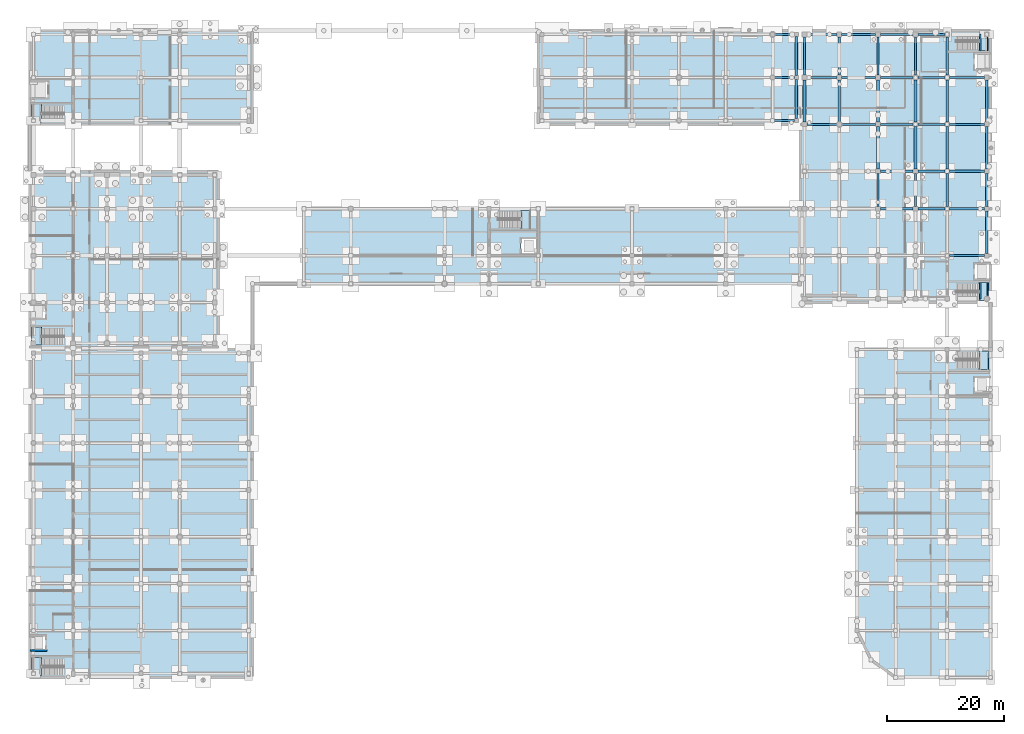
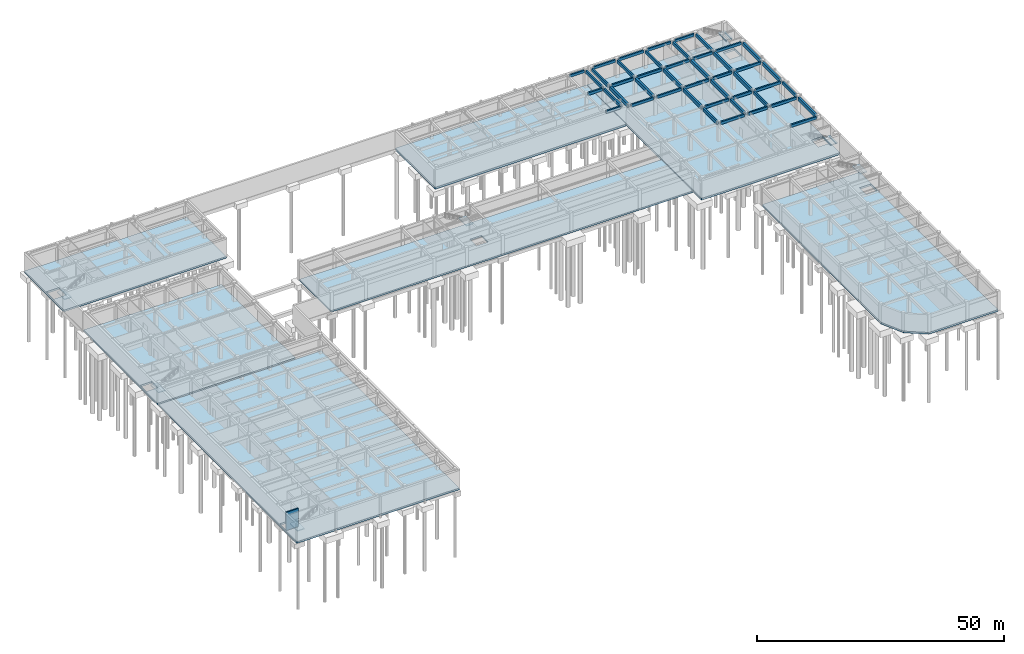
# One storey, part 19 of 35: 50 beams, 14 slabs, 1 wall, 7 elements without a shape of their own.
"""IFC4 building model written with IfcOpenShell, lengths in metres."""

from ifc_helpers import new_model, si_unit, direction, frame, frame_2d, origin, origin_2d, place, context, subcontext, project, spatial, polyline, rectangle, i_section, outline, extrude, material, layer, layer_set, material_profile, profile_set, type_object, element, aggregate, save


model = new_model("IFC4")

# Units and contexts
model_context = context("Model", 3, precision=1e-05, world=origin(), true_north=direction((0.0, 1.0)))
body_context = subcontext(model_context, "Body", "Model", "MODEL_VIEW")
ifc_project = project(units=[si_unit("LENGTHUNIT", "METRE"), si_unit("AREAUNIT", "SQUARE_METRE"), si_unit("VOLUMEUNIT", "CUBIC_METRE"), si_unit("PLANEANGLEUNIT", "RADIAN"), si_unit("MASSUNIT", "GRAM", prefix="KILO")], contexts=[model_context])

# Site, building, storey
site_placement = place(None, origin())
site = spatial("IfcSite", under=ifc_project, at=site_placement, CompositionType="ELEMENT")
building_placement = place(site_placement, origin())
building = spatial("IfcBuilding", under=site, at=building_placement, Name="Cinchona Park Media Centre", CompositionType="ELEMENT")
storey_placement = place(building_placement, frame((0.0, 0.0, -4.800048828125)))
storey = spatial("IfcBuildingStorey", under=building, at=storey_placement, Name="B1", CompositionType="ELEMENT", Elevation=-4.800048828125)

# Beams
ifc_material_1 = material(Name="Concrete C35/45", Category="concrete")
ifc_material_profile_1 = material_profile(ifc_material_1, rectangle(XDim=0.39990234375, YDim=0.75, at=origin_2d()), Name="RB 400X750")
ifc_profile_set_1 = profile_set([ifc_material_profile_1], Name="Concrete C35/45")
beam_type_1 = type_object("IfcBeamType", Name="BEAM-B01-RB400X750", PredefinedType="BEAM", material=ifc_profile_set_1)
for number, where, z_axis, x_axis, name in (
    (1, (138.860107421875, 102.989990234375, 4.074951171875), (0.0, 1.0, 0.0), (-1.0, 0.0, 0.0), "Girder B01 B1"),
    (2, (138.860107421875, 110.35009765625, 4.074951171875), (0.0, 1.0, 0.0), (-1.0, 0.0, 0.0), "Girder B01 B1"),
):
    element("IfcBeam", number, at=place(storey_placement, frame(where, z_axis=z_axis, x_axis=x_axis)), inside=storey, type_object=beam_type_1, Name=name, PredefinedType="BEAM", context=body_context, shape_type="SweptSolid", body=[
        extrude(rectangle(XDim=0.39990234375, YDim=0.75, at=origin_2d()), origin(), (0.0, 0.0, 1.0), 6.659912109375),
    ])
for number, where, z_axis, x_axis, name in (
    (3, (140.239990234375, 110.39990234375, 4.125), (0.0, 1.0, 0.0), (-1.0, 0.0, 0.0), "Girder B01 B1"),
    (4, (146.199951171875, 110.39990234375, 4.125), (0.0, 1.0, 0.0), (-1.0, 0.0, 0.0), "Girder B01 B1"),
):
    element("IfcBeam", number, at=place(storey_placement, frame(where, z_axis=z_axis, x_axis=x_axis)), inside=storey, type_object=beam_type_1, Name=name, PredefinedType="BEAM", context=body_context, shape_type="SweptSolid", body=[
        extrude(rectangle(XDim=0.39990234375, YDim=0.75, at=origin_2d()), origin(), (0.0, 0.0, 1.0), 6.56005859375),
    ])
beam_1_placement = place(storey_placement, frame((152.800048828125, 88.0, 4.125), z_axis=(0.0, 1.0, 0.0), x_axis=(-1.0, 0.0, 0.0)))
element("IfcBeam", 5, at=beam_1_placement, inside=storey, type_object=beam_type_1, Name="Girder B01 B1", PredefinedType="BEAM", context=body_context, shape_type="SweptSolid", body=[
    extrude(rectangle(XDim=0.39990234375, YDim=0.75, at=origin_2d()), origin(), (0.0, 0.0, 1.0), 5.60009765625),
])
beam_2_placement = place(storey_placement, frame((152.800048828125, 110.39990234375, 4.125), z_axis=(0.0, 1.0, 0.0), x_axis=(-1.0, 0.0, 0.0)))
element("IfcBeam", 6, at=beam_2_placement, inside=storey, type_object=beam_type_1, Name="Girder B01 B1", PredefinedType="BEAM", context=body_context, shape_type="SweptSolid", body=[
    extrude(rectangle(XDim=0.39990234375, YDim=0.75, at=origin_2d()), origin(), (0.0, 0.0, 1.0), 6.56005859375),
])
beam_3_placement = place(storey_placement, frame((159.199951171875, 88.0, 4.125), z_axis=(0.0, 1.0, 0.0), x_axis=(-1.0, 0.0, 0.0)))
element("IfcBeam", 7, at=beam_3_placement, inside=storey, type_object=beam_type_1, Name="Girder B01 B1", PredefinedType="BEAM", context=body_context, shape_type="SweptSolid", body=[
    extrude(rectangle(XDim=0.39990234375, YDim=0.75, at=origin_2d()), origin(), (0.0, 0.0, 1.0), 5.60009765625),
])
beam_4_placement = place(storey_placement, frame((159.199951171875, 110.39990234375, 4.125), z_axis=(0.0, 1.0, 0.0), x_axis=(-1.0, 0.0, 0.0)))
element("IfcBeam", 8, at=beam_4_placement, inside=storey, type_object=beam_type_1, Name="Girder B01 B1", PredefinedType="BEAM", context=body_context, shape_type="SweptSolid", body=[
    extrude(rectangle(XDim=0.39990234375, YDim=0.75, at=origin_2d()), origin(), (0.0, 0.0, 1.0), 6.56005859375),
])
beam_5_placement = place(storey_placement, frame((164.60009765625, 88.0, 4.125), z_axis=(0.0, 1.0, 0.0), x_axis=(-1.0, 0.0, 0.0)))
element("IfcBeam", 9, at=beam_5_placement, inside=storey, type_object=beam_type_1, Name="Girder B01 B1", PredefinedType="BEAM", context=body_context, shape_type="SweptSolid", body=[
    extrude(rectangle(XDim=0.39990234375, YDim=0.75, at=origin_2d()), origin(), (0.0, 0.0, 1.0), 5.60009765625),
])
beam_6_placement = place(storey_placement, frame((164.60009765625, 110.39990234375, 4.125), z_axis=(0.0, 1.0, 0.0), x_axis=(-1.0, 0.0, 0.0)))
element("IfcBeam", 10, at=beam_6_placement, inside=storey, type_object=beam_type_1, Name="Girder B01 B1", PredefinedType="BEAM", context=body_context, shape_type="SweptSolid", body=[
    extrude(rectangle(XDim=0.39990234375, YDim=0.75, at=origin_2d()), origin(), (0.0, 0.0, 1.0), 6.56005859375),
])
beam_7_placement = place(storey_placement, frame((171.360107421875, 88.0, 4.125), z_axis=(0.0, 1.0, 0.0), x_axis=(-1.0, 0.0, 0.0)))
element("IfcBeam", 11, at=beam_7_placement, inside=storey, type_object=beam_type_1, Name="Girder B01 B1", PredefinedType="BEAM", context=body_context, shape_type="SweptSolid", body=[
    extrude(rectangle(XDim=0.39990234375, YDim=0.75, at=origin_2d()), origin(), (0.0, 0.0, 1.0), 5.60009765625),
])
ifc_material_2 = material(Name="Concrete C35/45", Category="concrete")
ifc_material_profile_2 = material_profile(ifc_material_2, rectangle(XDim=0.449951171875, YDim=0.85009765625, at=origin_2d()), Name="RB 450X850")
ifc_profile_set_2 = profile_set([ifc_material_profile_2], Name="Concrete C35/45")
beam_type_2 = type_object("IfcBeamType", Name="BEAM-B02-RB450X850", PredefinedType="BEAM", material=ifc_profile_set_2)
for number, where, z_axis, x_axis, name in (
    (12, (140.239990234375, 102.39990234375, 4.074951171875), (0.0, 1.0, 0.0), (-1.0, 0.0, 0.0), "Girder B02 B1"),
    (13, (146.199951171875, 102.39990234375, 4.074951171875), (0.0, 1.0, 0.0), (-1.0, 0.0, 0.0), "Girder B02 B1"),
    (14, (152.800048828125, 94.39990234375, 4.074951171875), (0.0, 1.0, 0.0), (-1.0, 0.0, 0.0), "Girder B02 B1"),
    (15, (152.800048828125, 102.39990234375, 4.074951171875), (0.0, 1.0, 0.0), (-1.0, 0.0, 0.0), "Girder B02 B1"),
    (16, (159.199951171875, 94.39990234375, 4.074951171875), (0.0, 1.0, 0.0), (-1.0, 0.0, 0.0), "Girder B02 B1"),
    (17, (159.199951171875, 102.39990234375, 4.074951171875), (0.0, 1.0, 0.0), (-1.0, 0.0, 0.0), "Girder B02 B1"),
    (18, (164.60009765625, 94.39990234375, 4.074951171875), (0.0, 1.0, 0.0), (-1.0, 0.0, 0.0), "Girder B02 B1"),
    (19, (164.60009765625, 102.39990234375, 4.074951171875), (0.0, 1.0, 0.0), (-1.0, 0.0, 0.0), "Girder B02 B1"),
):
    element("IfcBeam", number, at=place(storey_placement, frame(where, z_axis=z_axis, x_axis=x_axis)), inside=storey, type_object=beam_type_2, Name=name, PredefinedType="BEAM", context=body_context, shape_type="SweptSolid", body=[
        extrude(rectangle(XDim=0.449951171875, YDim=0.85009765625, at=origin_2d()), origin(), (0.0, 0.0, 1.0), 7.2001953125),
    ])
beam_8_placement = place(storey_placement, frame((171.360107421875, 80.0, 4.074951171875), z_axis=(0.0, 1.0, 0.0), x_axis=(-1.0, 0.0, 0.0)))
element("IfcBeam", 20, at=beam_8_placement, inside=storey, type_object=beam_type_2, Name="Girder B02 B1", PredefinedType="BEAM", context=body_context, shape_type="SweptSolid", body=[
    extrude(rectangle(XDim=0.449951171875, YDim=0.85009765625, at=origin_2d()), origin(), (0.0, 0.0, 1.0), 7.199951171875),
])
for number, where, z_axis, x_axis, name in (
    (21, (171.360107421875, 94.39990234375, 4.074951171875), (0.0, 1.0, 0.0), (-1.0, 0.0, 0.0), "Girder B02 B1"),
    (22, (171.360107421875, 102.39990234375, 4.074951171875), (0.0, 1.0, 0.0), (-1.0, 0.0, 0.0), "Girder B02 B1"),
):
    element("IfcBeam", number, at=place(storey_placement, frame(where, z_axis=z_axis, x_axis=x_axis)), inside=storey, type_object=beam_type_2, Name=name, PredefinedType="BEAM", context=body_context, shape_type="SweptSolid", body=[
        extrude(rectangle(XDim=0.449951171875, YDim=0.85009765625, at=origin_2d()), origin(), (0.0, 0.0, 1.0), 7.2001953125),
    ])
ifc_material_3 = material(Name="Concrete C35/45", Category="concrete")
ifc_material_profile_3 = material_profile(ifc_material_3, rectangle(XDim=0.35009765625, YDim=0.64990234375, at=origin_2d()), Name="RB 350X650")
ifc_profile_set_3 = profile_set([ifc_material_profile_3], Name="Concrete C35/45")
beam_type_3 = type_object("IfcBeamType", Name="BEAM-B04-RB350X650", PredefinedType="BEAM", material=ifc_profile_set_3)
for number, where, z_axis, x_axis, name in (
    (23, (135.14990234375, 102.639892578125, 4.125), (1.0, 0.0, 0.0), (0.0, 1.0, 0.0), "Beam B04 B1"),
    (24, (135.14990234375, 110.0, 4.125), (1.0, 0.0, 0.0), (0.0, 1.0, 0.0), "Beam B04 B1"),
    (25, (135.14990234375, 117.360107421875, 4.125), (1.0, 0.0, 0.0), (0.0, 1.0, 0.0), "Beam B04 B1"),
):
    element("IfcBeam", number, at=place(storey_placement, frame(where, z_axis=z_axis, x_axis=x_axis)), inside=storey, type_object=beam_type_3, Name=name, PredefinedType="BEAM", context=body_context, shape_type="SweptSolid", body=[
        extrude(rectangle(XDim=0.35009765625, YDim=0.64990234375, at=origin_2d()), origin(), (0.0, 0.0, 1.0), 3.360107421875),
    ])
beam_9_placement = place(storey_placement, frame((165.0, 79.60009765625, 4.175048828125), z_axis=(1.0, 0.0, 0.0), x_axis=(0.0, 1.0, 0.0)))
element("IfcBeam", 26, at=beam_9_placement, inside=storey, type_object=beam_type_3, Name="Beam B04 B1", PredefinedType="BEAM", context=body_context, shape_type="SweptSolid", body=[
    extrude(rectangle(XDim=0.35009765625, YDim=0.64990234375, at=origin_2d()), origin(), (0.0, 0.0, 1.0), 5.9599609375),
])
beam_10_placement = place(storey_placement, frame((153.199951171875, 87.60009765625, 4.175048828125), z_axis=(1.0, 0.0, 0.0), x_axis=(0.0, 1.0, 0.0)))
element("IfcBeam", 27, at=beam_10_placement, inside=storey, type_object=beam_type_3, Name="Beam B04 B1", PredefinedType="BEAM", context=body_context, shape_type="SweptSolid", body=[
    extrude(rectangle(XDim=0.35009765625, YDim=0.64990234375, at=origin_2d()), origin(), (0.0, 0.0, 1.0), 5.60009765625),
])
beam_11_placement = place(storey_placement, frame((159.60009765625, 87.60009765625, 4.175048828125), z_axis=(1.0, 0.0, 0.0), x_axis=(0.0, 1.0, 0.0)))
element("IfcBeam", 28, at=beam_11_placement, inside=storey, type_object=beam_type_3, Name="Beam B04 B1", PredefinedType="BEAM", context=body_context, shape_type="SweptSolid", body=[
    extrude(rectangle(XDim=0.35009765625, YDim=0.64990234375, at=origin_2d()), origin(), (0.0, 0.0, 1.0), 4.599853515625),
])
beam_12_placement = place(storey_placement, frame((165.0, 87.60009765625, 4.175048828125), z_axis=(1.0, 0.0, 0.0), x_axis=(0.0, 1.0, 0.0)))
element("IfcBeam", 29, at=beam_12_placement, inside=storey, type_object=beam_type_3, Name="Beam B04 B1", PredefinedType="BEAM", context=body_context, shape_type="SweptSolid", body=[
    extrude(rectangle(XDim=0.35009765625, YDim=0.64990234375, at=origin_2d()), origin(), (0.0, 0.0, 1.0), 5.9599609375),
])
beam_13_placement = place(storey_placement, frame((153.199951171875, 94.0, 4.175048828125), z_axis=(1.0, 0.0, 0.0), x_axis=(0.0, 1.0, 0.0)))
element("IfcBeam", 30, at=beam_13_placement, inside=storey, type_object=beam_type_3, Name="Beam B04 B1", PredefinedType="BEAM", context=body_context, shape_type="SweptSolid", body=[
    extrude(rectangle(XDim=0.35009765625, YDim=0.64990234375, at=origin_2d()), origin(), (0.0, 0.0, 1.0), 5.60009765625),
])
beam_14_placement = place(storey_placement, frame((159.60009765625, 94.0, 4.175048828125), z_axis=(1.0, 0.0, 0.0), x_axis=(0.0, 1.0, 0.0)))
element("IfcBeam", 31, at=beam_14_placement, inside=storey, type_object=beam_type_3, Name="Beam B04 B1", PredefinedType="BEAM", context=body_context, shape_type="SweptSolid", body=[
    extrude(rectangle(XDim=0.35009765625, YDim=0.64990234375, at=origin_2d()), origin(), (0.0, 0.0, 1.0), 4.599853515625),
])
beam_15_placement = place(storey_placement, frame((165.0, 94.0, 4.175048828125), z_axis=(1.0, 0.0, 0.0), x_axis=(0.0, 1.0, 0.0)))
element("IfcBeam", 32, at=beam_15_placement, inside=storey, type_object=beam_type_3, Name="Beam B04 B1", PredefinedType="BEAM", context=body_context, shape_type="SweptSolid", body=[
    extrude(rectangle(XDim=0.35009765625, YDim=0.64990234375, at=origin_2d()), origin(), (0.0, 0.0, 1.0), 5.9599609375),
])
beam_16_placement = place(storey_placement, frame((140.639892578125, 102.0, 4.175048828125), z_axis=(1.0, 0.0, 0.0), x_axis=(0.0, 1.0, 0.0)))
element("IfcBeam", 33, at=beam_16_placement, inside=storey, type_object=beam_type_3, Name="Beam B04 B1", PredefinedType="BEAM", context=body_context, shape_type="SweptSolid", body=[
    extrude(rectangle(XDim=0.35009765625, YDim=0.64990234375, at=origin_2d()), origin(), (0.0, 0.0, 1.0), 5.16015625),
])
beam_17_placement = place(storey_placement, frame((146.60009765625, 102.0, 4.175048828125), z_axis=(1.0, 0.0, 0.0), x_axis=(0.0, 1.0, 0.0)))
element("IfcBeam", 34, at=beam_17_placement, inside=storey, type_object=beam_type_3, Name="Beam B04 B1", PredefinedType="BEAM", context=body_context, shape_type="SweptSolid", body=[
    extrude(rectangle(XDim=0.35009765625, YDim=0.64990234375, at=origin_2d()), origin(), (0.0, 0.0, 1.0), 5.7998046875),
])
beam_18_placement = place(storey_placement, frame((153.199951171875, 102.0, 4.175048828125), z_axis=(1.0, 0.0, 0.0), x_axis=(0.0, 1.0, 0.0)))
element("IfcBeam", 35, at=beam_18_placement, inside=storey, type_object=beam_type_3, Name="Beam B04 B1", PredefinedType="BEAM", context=body_context, shape_type="SweptSolid", body=[
    extrude(rectangle(XDim=0.35009765625, YDim=0.64990234375, at=origin_2d()), origin(), (0.0, 0.0, 1.0), 5.60009765625),
])
beam_19_placement = place(storey_placement, frame((159.60009765625, 102.0, 4.175048828125), z_axis=(1.0, 0.0, 0.0), x_axis=(0.0, 1.0, 0.0)))
element("IfcBeam", 36, at=beam_19_placement, inside=storey, type_object=beam_type_3, Name="Beam B04 B1", PredefinedType="BEAM", context=body_context, shape_type="SweptSolid", body=[
    extrude(rectangle(XDim=0.35009765625, YDim=0.64990234375, at=origin_2d()), origin(), (0.0, 0.0, 1.0), 4.599853515625),
])
beam_20_placement = place(storey_placement, frame((165.0, 102.0, 4.175048828125), z_axis=(1.0, 0.0, 0.0), x_axis=(0.0, 1.0, 0.0)))
element("IfcBeam", 37, at=beam_20_placement, inside=storey, type_object=beam_type_3, Name="Beam B04 B1", PredefinedType="BEAM", context=body_context, shape_type="SweptSolid", body=[
    extrude(rectangle(XDim=0.35009765625, YDim=0.64990234375, at=origin_2d()), origin(), (0.0, 0.0, 1.0), 5.9599609375),
])
beam_21_placement = place(storey_placement, frame((140.639892578125, 110.0, 4.175048828125), z_axis=(1.0, 0.0, 0.0), x_axis=(0.0, 1.0, 0.0)))
element("IfcBeam", 38, at=beam_21_placement, inside=storey, type_object=beam_type_3, Name="Beam B04 B1", PredefinedType="BEAM", context=body_context, shape_type="SweptSolid", body=[
    extrude(rectangle(XDim=0.35009765625, YDim=0.64990234375, at=origin_2d()), origin(), (0.0, 0.0, 1.0), 5.16015625),
])
beam_22_placement = place(storey_placement, frame((146.60009765625, 110.0, 4.175048828125), z_axis=(1.0, 0.0, 0.0), x_axis=(0.0, 1.0, 0.0)))
element("IfcBeam", 39, at=beam_22_placement, inside=storey, type_object=beam_type_3, Name="Beam B04 B1", PredefinedType="BEAM", context=body_context, shape_type="SweptSolid", body=[
    extrude(rectangle(XDim=0.35009765625, YDim=0.64990234375, at=origin_2d()), origin(), (0.0, 0.0, 1.0), 5.7998046875),
])
beam_23_placement = place(storey_placement, frame((153.199951171875, 110.0, 4.175048828125), z_axis=(1.0, 0.0, 0.0), x_axis=(0.0, 1.0, 0.0)))
element("IfcBeam", 40, at=beam_23_placement, inside=storey, type_object=beam_type_3, Name="Beam B04 B1", PredefinedType="BEAM", context=body_context, shape_type="SweptSolid", body=[
    extrude(rectangle(XDim=0.35009765625, YDim=0.64990234375, at=origin_2d()), origin(), (0.0, 0.0, 1.0), 5.60009765625),
])
beam_24_placement = place(storey_placement, frame((159.60009765625, 110.0, 4.175048828125), z_axis=(1.0, 0.0, 0.0), x_axis=(0.0, 1.0, 0.0)))
element("IfcBeam", 41, at=beam_24_placement, inside=storey, type_object=beam_type_3, Name="Beam B04 B1", PredefinedType="BEAM", context=body_context, shape_type="SweptSolid", body=[
    extrude(rectangle(XDim=0.35009765625, YDim=0.64990234375, at=origin_2d()), origin(), (0.0, 0.0, 1.0), 4.599853515625),
])
beam_25_placement = place(storey_placement, frame((165.0, 110.0, 4.175048828125), z_axis=(1.0, 0.0, 0.0), x_axis=(0.0, 1.0, 0.0)))
element("IfcBeam", 42, at=beam_25_placement, inside=storey, type_object=beam_type_3, Name="Beam B04 B1", PredefinedType="BEAM", context=body_context, shape_type="SweptSolid", body=[
    extrude(rectangle(XDim=0.35009765625, YDim=0.64990234375, at=origin_2d()), origin(), (0.0, 0.0, 1.0), 5.9599609375),
])
beam_26_placement = place(storey_placement, frame((140.639892578125, 117.360107421875, 4.175048828125), z_axis=(1.0, 0.0, 0.0), x_axis=(0.0, 1.0, 0.0)))
element("IfcBeam", 43, at=beam_26_placement, inside=storey, type_object=beam_type_3, Name="Beam B04 B1", PredefinedType="BEAM", context=body_context, shape_type="SweptSolid", body=[
    extrude(rectangle(XDim=0.35009765625, YDim=0.64990234375, at=origin_2d()), origin(), (0.0, 0.0, 1.0), 5.16015625),
])
beam_27_placement = place(storey_placement, frame((146.60009765625, 117.360107421875, 4.175048828125), z_axis=(1.0, 0.0, 0.0), x_axis=(0.0, 1.0, 0.0)))
element("IfcBeam", 44, at=beam_27_placement, inside=storey, type_object=beam_type_3, Name="Beam B04 B1", PredefinedType="BEAM", context=body_context, shape_type="SweptSolid", body=[
    extrude(rectangle(XDim=0.35009765625, YDim=0.64990234375, at=origin_2d()), origin(), (0.0, 0.0, 1.0), 5.7998046875),
])
beam_28_placement = place(storey_placement, frame((153.199951171875, 117.360107421875, 4.175048828125), z_axis=(1.0, 0.0, 0.0), x_axis=(0.0, 1.0, 0.0)))
element("IfcBeam", 45, at=beam_28_placement, inside=storey, type_object=beam_type_3, Name="Beam B04 B1", PredefinedType="BEAM", context=body_context, shape_type="SweptSolid", body=[
    extrude(rectangle(XDim=0.35009765625, YDim=0.64990234375, at=origin_2d()), origin(), (0.0, 0.0, 1.0), 5.60009765625),
])
beam_29_placement = place(storey_placement, frame((159.60009765625, 117.360107421875, 4.175048828125), z_axis=(1.0, 0.0, 0.0), x_axis=(0.0, 1.0, 0.0)))
element("IfcBeam", 46, at=beam_29_placement, inside=storey, type_object=beam_type_3, Name="Beam B04 B1", PredefinedType="BEAM", context=body_context, shape_type="SweptSolid", body=[
    extrude(rectangle(XDim=0.35009765625, YDim=0.64990234375, at=origin_2d()), origin(), (0.0, 0.0, 1.0), 4.599853515625),
])
ifc_material_4 = material(Name="Steel S355", Category="steel")
ifc_material_profile_4 = material_profile(ifc_material_4, i_section(OverallWidth=0.202880859375, OverallDepth=0.202880859375, WebThickness=0.007080078125, FlangeThickness=0.010986328125, at=origin_2d()), Name="W200X46")
ifc_profile_set_4 = profile_set([ifc_material_profile_4], Name="Steel S355")
beam_type_4 = type_object("IfcBeamType", Name="BEAM-B10-W200X46", PredefinedType="BEAM", material=ifc_profile_set_4)
for number, where, z_axis, x_axis, name in (
    (47, (170.239990234375, 75.044921875, 2.093505859375), (0.0, -1.0, 0.0), (1.0, 0.0, 0.0), "Stair Landing Bearer Beam B10 ST1 B1"),
    (48, (171.4599609375, 75.044921875, 2.093505859375), (0.0, -1.0, 0.0), (1.0, 0.0, 0.0), "Stair Landing Bearer Beam B10 ST1 B1"),
    (49, (170.239990234375, 114.554931640625, 2.093505859375), (0.0, 1.0, 0.0), (-1.0, 0.0, 0.0), "Stair Landing Bearer Beam B10 ST2 B1"),
    (50, (171.4599609375, 114.554931640625, 2.093505859375), (0.0, 1.0, 0.0), (-1.0, 0.0, 0.0), "Stair Landing Bearer Beam B10 ST2 B1"),
):
    element("IfcBeam", number, at=place(storey_placement, frame(where, z_axis=z_axis, x_axis=x_axis)), inside=storey, type_object=beam_type_4, Name=name, PredefinedType="BEAM", context=body_context, shape_type="SweptSolid", body=[
        extrude(i_section(OverallWidth=0.202880859375, OverallDepth=0.202880859375, WebThickness=0.007080078125, FlangeThickness=0.010986328125, at=origin_2d()), origin(), (0.0, 0.0, 1.0), 2.844970703125),
    ])

# Stair, slab
ifc_material_5 = material(Name="Concrete C35/45", Category="concrete")
stair_type_1 = type_object("IfcStairType", Name="STAIR-ST1-HT48", PredefinedType="HALF_TURN_STAIR", material=ifc_material_5)
stair_1_placement = place(storey_placement, origin())
stair_1 = element("IfcStair", 51, at=stair_1_placement, inside=storey, type_object=stair_type_1, Name="Exit Stair ST1 B1", PredefinedType="HALF_TURN_STAIR")
ifc_material_6 = material(Name="Concrete C35/45", Category="concrete")
ifc_layer_1 = layer(ifc_material_6, 0.205078125)
ifc_layer_set_1 = layer_set([ifc_layer_1], Name="Concrete C35/45")
slab_type_1 = type_object("IfcSlabType", Name="LANDING-LDG01", PredefinedType="LANDING", material=ifc_layer_set_1)
slab_1_placement = place(storey_placement, frame((0.0, 0.0, 2.195068359375)))
slab_1 = element("IfcSlab", 52, at=slab_1_placement, type_object=slab_type_1, Name="ST1 landing 1", PredefinedType="LANDING", context=body_context, shape_type="SweptSolid", body=[
    extrude(outline(polyline([(170.02001953125, 71.919921875), (171.679931640625, 71.919921875), (171.679931640625, 75.02001953125), (170.02001953125, 75.02001953125), (170.02001953125, 71.919921875)])), origin(), (0.0, 0.0, 1.0), 0.205078125),
])
aggregate(stair_1, [slab_1])

ifc_material_7 = material(Name="Concrete C35/45", Category="concrete")
stair_type_2 = type_object("IfcStairType", Name="STAIR-ST2-HT48", PredefinedType="HALF_TURN_STAIR", material=ifc_material_7)
stair_2_placement = place(storey_placement, origin())
stair_2 = element("IfcStair", 53, at=stair_2_placement, inside=storey, type_object=stair_type_2, Name="Exit Stair ST2 B1", PredefinedType="HALF_TURN_STAIR")
slab_2_placement = place(storey_placement, frame((0.0, 0.0, 2.195068359375)))
slab_2 = element("IfcSlab", 54, at=slab_2_placement, type_object=slab_type_1, Name="ST2 landing 1", PredefinedType="LANDING", context=body_context, shape_type="SweptSolid", body=[
    extrude(outline(polyline([(170.02001953125, 114.580078125), (171.679931640625, 114.580078125), (171.679931640625, 117.679931640625), (170.02001953125, 117.679931640625), (170.02001953125, 114.580078125)])), origin(), (0.0, 0.0, 1.0), 0.205078125),
])
aggregate(stair_2, [slab_2])

ifc_material_8 = material(Name="Concrete C35/45", Category="concrete")
stair_type_3 = type_object("IfcStairType", Name="STAIR-ST3-HT48", PredefinedType="HALF_TURN_STAIR", material=ifc_material_8)
stair_3_placement = place(storey_placement, origin())
stair_3 = element("IfcStair", 55, at=stair_3_placement, inside=storey, type_object=stair_type_3, Name="Exit Stair ST3 B1", PredefinedType="HALF_TURN_STAIR")
slab_3_placement = place(storey_placement, frame((0.0, 0.0, 2.195068359375)))
slab_3 = element("IfcSlab", 56, at=slab_3_placement, type_object=slab_type_1, Name="ST3 landing 1", PredefinedType="LANDING", context=body_context, shape_type="SweptSolid", body=[
    extrude(outline(polyline([(8.320068359375, 64.320068359375), (9.97998046875, 64.320068359375), (9.97998046875, 67.445068359375), (8.320068359375, 67.445068359375), (8.320068359375, 64.320068359375)])), origin(), (0.0, 0.0, 1.0), 0.205078125),
])
aggregate(stair_3, [slab_3])

ifc_material_9 = material(Name="Concrete C35/45", Category="concrete")
stair_type_4 = type_object("IfcStairType", Name="STAIR-ST4-HT48", PredefinedType="HALF_TURN_STAIR", material=ifc_material_9)
stair_4_placement = place(storey_placement, origin())
stair_4 = element("IfcStair", 57, at=stair_4_placement, inside=storey, type_object=stair_type_4, Name="Exit Stair ST4 B1", PredefinedType="HALF_TURN_STAIR")
slab_4_placement = place(storey_placement, frame((0.0, 0.0, 2.195068359375)))
slab_4 = element("IfcSlab", 58, at=slab_4_placement, type_object=slab_type_1, Name="ST4 landing 1", PredefinedType="LANDING", context=body_context, shape_type="SweptSolid", body=[
    extrude(outline(polyline([(8.320068359375, 102.320068359375), (9.97998046875, 102.320068359375), (9.97998046875, 105.445068359375), (8.320068359375, 105.445068359375), (8.320068359375, 102.320068359375)])), origin(), (0.0, 0.0, 1.0), 0.205078125),
])
aggregate(stair_4, [slab_4])

ifc_material_10 = material(Name="Concrete C35/45", Category="concrete")
stair_type_5 = type_object("IfcStairType", Name="STAIR-ST5-HT48", PredefinedType="HALF_TURN_STAIR", material=ifc_material_10)
stair_5_placement = place(storey_placement, origin())
stair_5 = element("IfcStair", 59, at=stair_5_placement, inside=storey, type_object=stair_type_5, Name="Exit Stair ST5 B1", PredefinedType="HALF_TURN_STAIR")
slab_5_placement = place(storey_placement, frame((0.0, 0.0, 2.195068359375)))
slab_5 = element("IfcSlab", 60, at=slab_5_placement, type_object=slab_type_1, Name="ST5 landing 1", PredefinedType="LANDING", context=body_context, shape_type="SweptSolid", body=[
    extrude(outline(polyline([(91.820068359375, 84.155029296875), (93.47998046875, 84.155029296875), (93.47998046875, 87.280029296875), (91.820068359375, 87.280029296875), (91.820068359375, 84.155029296875)])), origin(), (0.0, 0.0, 1.0), 0.205078125),
])
aggregate(stair_5, [slab_5])

ifc_material_11 = material(Name="Concrete C35/45", Category="concrete")
stair_type_6 = type_object("IfcStairType", Name="STAIR-ST6-HT48", PredefinedType="HALF_TURN_STAIR", material=ifc_material_11)
stair_6_placement = place(storey_placement, origin())
stair_6 = element("IfcStair", 61, at=stair_6_placement, inside=storey, type_object=stair_type_6, Name="Exit Stair ST6 B1", PredefinedType="HALF_TURN_STAIR")
slab_6_placement = place(storey_placement, frame((0.0, 0.0, 2.195068359375)))
slab_6 = element("IfcSlab", 62, at=slab_6_placement, type_object=slab_type_1, Name="ST6 landing 1", PredefinedType="LANDING", context=body_context, shape_type="SweptSolid", body=[
    extrude(outline(polyline([(8.320068359375, 7.919921875), (9.97998046875, 7.919921875), (9.97998046875, 11.044921875), (8.320068359375, 11.044921875), (8.320068359375, 7.919921875)])), origin(), (0.0, 0.0, 1.0), 0.205078125),
])
aggregate(stair_6, [slab_6])

ifc_material_12 = material(Name="Concrete C35/45", Category="concrete")
stair_type_7 = type_object("IfcStairType", Name="STAIR-ST7-HT48", PredefinedType="HALF_TURN_STAIR", material=ifc_material_12)
stair_7_placement = place(storey_placement, origin())
stair_7 = element("IfcStair", 63, at=stair_7_placement, inside=storey, type_object=stair_type_7, Name="Exit Stair ST7 B1", PredefinedType="HALF_TURN_STAIR")
slab_7_placement = place(storey_placement, frame((0.0, 0.0, 2.195068359375)))
slab_7 = element("IfcSlab", 64, at=slab_7_placement, type_object=slab_type_1, Name="ST7 landing 1", PredefinedType="LANDING", context=body_context, shape_type="SweptSolid", body=[
    extrude(outline(polyline([(170.02001953125, 60.155029296875), (171.679931640625, 60.155029296875), (171.679931640625, 63.280029296875), (170.02001953125, 63.280029296875), (170.02001953125, 60.155029296875)])), origin(), (0.0, 0.0, 1.0), 0.205078125),
])
aggregate(stair_7, [slab_7])

# Slabs
ifc_material_13 = material(Name="Concrete C40/50", Category="concrete")
ifc_layer_2 = layer(ifc_material_13, 0.5)
ifc_layer_set_2 = layer_set([ifc_layer_2], Name="Concrete C40/50")
slab_type_2 = type_object("IfcSlabType", Name="SLAB-BS01-500", PredefinedType="BASESLAB", material=ifc_layer_set_2)
slab_8_placement = place(storey_placement, frame((0.0, 0.0, -0.5)))
element("IfcSlab", 65, at=slab_8_placement, inside=storey, type_object=slab_type_2, Name="Film Archive Vault Floor Slab V3 B1", PredefinedType="BASESLAB", context=body_context, shape_type="SweptSolid", body=[
    extrude(outline(polyline([(94.800048828125, 102.0), (139.5, 102.0), (139.5, 118.0), (94.800048828125, 118.0), (94.800048828125, 102.0)])), origin(), (0.0, 0.0, 1.0), 0.5),
])
ifc_material_14 = material(Name="Concrete C40/50", Category="concrete")
ifc_layer_3 = layer(ifc_material_14, 0.47998046875)
ifc_layer_set_3 = layer_set([ifc_layer_3], Name="Concrete C40/50")
slab_type_3 = type_object("IfcSlabType", Name="SLAB-BS02-480", PredefinedType="BASESLAB", material=ifc_layer_set_3)
slab_9_placement = place(storey_placement, frame((0.0, 0.0, -0.47998046875)))
element("IfcSlab", 66, at=slab_9_placement, inside=storey, type_object=slab_type_3, Name="Floor Slab V7 B1", PredefinedType="BASESLAB", context=body_context, shape_type="SweptSolid", body=[
    extrude(outline(polyline([(139.60009765625, 71.60009765625), (172.0, 71.60009765625), (172.0, 118.0), (139.60009765625, 118.0), (139.60009765625, 71.60009765625)]), holes=[polyline([(169.199951171875, 75.5), (171.800048828125, 75.5), (171.800048828125, 78.300048828125), (169.199951171875, 78.300048828125), (169.199951171875, 75.5)]), polyline([(169.199951171875, 111.300048828125), (171.800048828125, 111.300048828125), (171.800048828125, 114.10009765625), (169.199951171875, 114.10009765625), (169.199951171875, 111.300048828125)])]), origin(), (0.0, 0.0, 1.0), 0.47998046875),
])
ifc_material_15 = material(Name="Concrete C40/50", Category="concrete")
ifc_layer_4 = layer(ifc_material_15, 0.449951171875)
ifc_layer_set_4 = layer_set([ifc_layer_4], Name="Concrete C40/50")
slab_type_4 = type_object("IfcSlabType", Name="SLAB-BS03-450", PredefinedType="BASESLAB", material=ifc_layer_set_4)
slab_10_placement = place(storey_placement, frame((0.0, 0.0, -0.449951171875)))
element("IfcSlab", 67, at=slab_10_placement, inside=storey, type_object=slab_type_4, Name="Floor Slab V1 B1", PredefinedType="BASESLAB", context=body_context, shape_type="SweptSolid", body=[
    extrude(outline(polyline([(8.0, 7.60009765625), (46.0, 7.60009765625), (46.0, 63.60009765625), (8.0, 63.60009765625), (8.0, 7.60009765625)]), holes=[polyline([(8.199951171875, 12.199951171875), (10.800048828125, 12.199951171875), (10.800048828125, 14.800048828125), (8.199951171875, 14.800048828125), (8.199951171875, 12.199951171875)])]), origin(), (0.0, 0.0, 1.0), 0.449951171875),
])
slab_11_placement = place(storey_placement, frame((0.0, 0.0, -0.449951171875)))
element("IfcSlab", 68, at=slab_11_placement, inside=storey, type_object=slab_type_4, Name="Floor Slab V4 B1", PredefinedType="BASESLAB", context=body_context, shape_type="SweptSolid", body=[
    extrude(outline(polyline([(8.0, 64.0), (40.199951171875, 64.0), (40.199951171875, 94.0), (8.0, 94.0), (8.0, 64.0)]), holes=[polyline([(8.199951171875, 68.800048828125), (10.800048828125, 68.800048828125), (10.800048828125, 71.300048828125), (8.199951171875, 71.300048828125), (8.199951171875, 68.800048828125)])]), origin(), (0.0, 0.0, 1.0), 0.449951171875),
])
slab_12_placement = place(storey_placement, frame((0.0, 0.0, -0.449951171875)))
element("IfcSlab", 69, at=slab_12_placement, inside=storey, type_object=slab_type_4, Name="Media Library Book Stacks Floor Slab V6 B1", PredefinedType="BASESLAB", context=body_context, shape_type="SweptSolid", body=[
    extrude(outline(polyline([(155.800048828125, 7.60009765625), (172.0, 7.60009765625), (172.0, 63.60009765625), (149.199951171875, 63.60009765625), (149.199951171875, 15.60009765625), (151.60009765625, 10.60009765625), (155.800048828125, 7.60009765625)]), holes=[polyline([(169.199951171875, 56.199951171875), (171.800048828125, 56.199951171875), (171.800048828125, 58.89990234375), (169.199951171875, 58.89990234375), (169.199951171875, 56.199951171875)])]), origin(), (0.0, 0.0, 1.0), 0.449951171875),
])
ifc_material_16 = material(Name="Concrete C40/50", Category="concrete")
ifc_layer_5 = layer(ifc_material_16, 0.425048828125)
ifc_layer_set_5 = layer_set([ifc_layer_5], Name="Concrete C40/50")
slab_type_5 = type_object("IfcSlabType", Name="SLAB-BS04-425", PredefinedType="BASESLAB", material=ifc_layer_set_5)
slab_13_placement = place(storey_placement, frame((0.0, 0.0, -0.425048828125)))
element("IfcSlab", 70, at=slab_13_placement, inside=storey, type_object=slab_type_5, Name="Floor Slab V2 B1", PredefinedType="BASESLAB", context=body_context, shape_type="SweptSolid", body=[
    extrude(outline(polyline([(8.0, 102.0), (46.0, 102.0), (46.0, 118.0), (8.0, 118.0), (8.0, 102.0)]), holes=[polyline([(8.199951171875, 106.39990234375), (11.199951171875, 106.39990234375), (11.199951171875, 109.39990234375), (8.199951171875, 109.39990234375), (8.199951171875, 106.39990234375)])]), origin(), (0.0, 0.0, 1.0), 0.425048828125),
])
ifc_material_17 = material(Name="Concrete C40/50", Category="concrete")
ifc_layer_6 = layer(ifc_material_17, 0.39990234375)
ifc_layer_set_6 = layer_set([ifc_layer_6], Name="Concrete C40/50")
slab_type_6 = type_object("IfcSlabType", Name="SLAB-BS05-400", PredefinedType="BASESLAB", material=ifc_layer_set_6)
slab_14_placement = place(storey_placement, frame((0.0, 0.0, -0.39990234375)))
element("IfcSlab", 71, at=slab_14_placement, inside=storey, type_object=slab_type_6, Name="Floor Slab V5 B1", PredefinedType="BASESLAB", context=body_context, shape_type="SweptSolid", body=[
    extrude(outline(polyline([(54.800048828125, 74.800048828125), (139.39990234375, 74.800048828125), (139.39990234375, 87.60009765625), (54.800048828125, 87.60009765625), (54.800048828125, 74.800048828125)]), holes=[polyline([(91.800048828125, 79.89990234375), (94.5, 79.89990234375), (94.5, 82.60009765625), (91.800048828125, 82.60009765625), (91.800048828125, 79.89990234375)])]), origin(), (0.0, 0.0, 1.0), 0.39990234375),
])

# Wall
ifc_material_18 = material(Name="Concrete C40/50", Category="concrete")
ifc_layer_7 = layer(ifc_material_18, 0.2900390625)
ifc_layer_set_7 = layer_set([ifc_layer_7], Name="Concrete C40/50")
wall_type = type_object("IfcWallType", Name="WALL-W-SH290", PredefinedType="SHEAR", material=ifc_layer_set_7)
wall_placement = place(storey_placement, frame((8.054931640625, 12.199951171875, 0.0), z_axis=(0.0, 0.0, 1.0), x_axis=(1.0, 0.0, 0.0)))
element("IfcWall", 72, at=wall_placement, inside=storey, type_object=wall_type, Name="Core Shear Wall W-SH290 B1", PredefinedType="SHEAR", context=body_context, shape_type="SweptSolid", body=[
    extrude(rectangle(XDim=2.89013671875, YDim=0.2900390625, at=frame_2d((1.445068359375, 0.0))), origin(), (0.0, 0.0, 1.0), 4.5),
])

save(model, "model.ifc")
